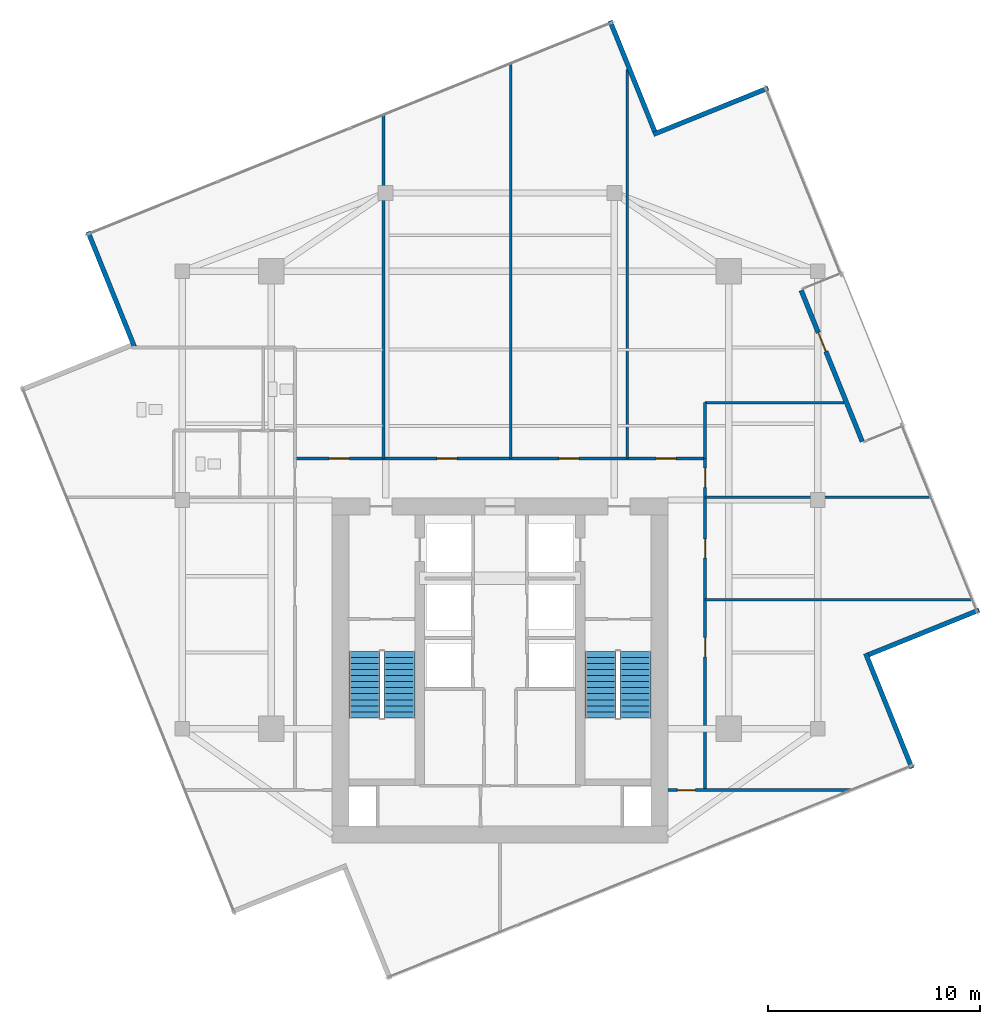
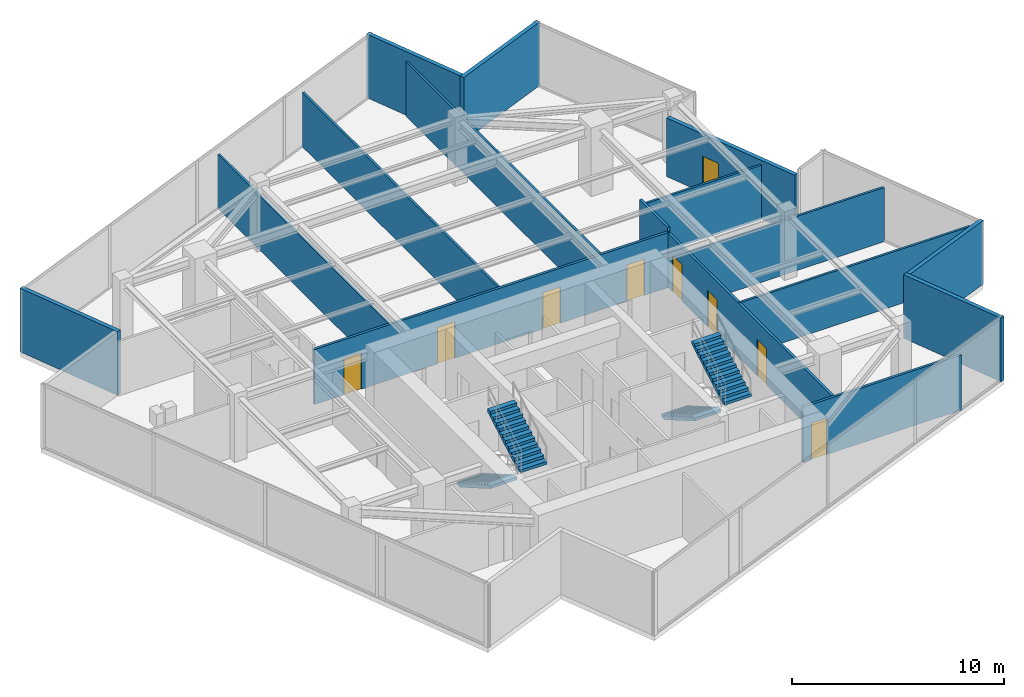
# One storey, part 19 of 21: 16 walls, 9 doors, 4 stair flights, 9 openings, 2 elements without a shape of their own.
"""IFC4 building model written with IfcOpenShell, lengths in metres."""

from ifc_helpers import new_model, si_unit, direction, frame, frame_2d, origin, place, context, subcontext, project, spatial, polyline, rectangle, outline, extrude, material, layer, layer_set, type_object, element, fill, aggregate, save


model = new_model("IFC4")

# Units and contexts
model_context = context("Model", 3, precision=1e-05, world=origin(), true_north=direction((0.0, 1.0)))
body_context = subcontext(model_context, "Body", "Model", "MODEL_VIEW")
ifc_project = project(units=[si_unit("LENGTHUNIT", "METRE"), si_unit("AREAUNIT", "SQUARE_METRE"), si_unit("VOLUMEUNIT", "CUBIC_METRE"), si_unit("PLANEANGLEUNIT", "RADIAN"), si_unit("MASSUNIT", "GRAM", prefix="KILO")], contexts=[model_context])

# Site, building, storey
site_placement = place(None, origin())
site = spatial("IfcSite", under=ifc_project, at=site_placement, CompositionType="ELEMENT")
building_placement = place(site_placement, origin())
building = spatial("IfcBuilding", under=site, at=building_placement, Name="Krantzveldt Concourse Tower", CompositionType="ELEMENT")
storey_placement = place(building_placement, frame((0.0, 0.0, 327.699951171875)))
storey = spatial("IfcBuildingStorey", under=building, at=storey_placement, Name="L80", CompositionType="ELEMENT", Elevation=327.699951171875)

# Walls
ifc_material_1 = material(Name="Anodised aluminium 6063-T6", Category="aluminium")
ifc_layer_1 = layer(ifc_material_1, 0.219970703125, Name="Anodised aluminium 6063-T6", Category="aluminium")
ifc_layer_set_1 = layer_set([ifc_layer_1], Name="Anodised aluminium 6063-T6 (WL-EXT-NOTCH220)")
wall_type_1 = type_object("IfcWallType", Name="WL-EXT-NOTCH220", PredefinedType="ELEMENTEDWALL", material=ifc_layer_set_1)
wall_1_placement = place(storey_placement, frame((43.302490234375, 44.102783203125, 0.0), z_axis=(0.0, 0.0, 1.0), x_axis=(-0.374613748588, 0.927180963658, 0.0)))
element("IfcWall", 1, at=wall_1_placement, inside=storey, type_object=wall_type_1, Name="EW-L80-NCH00", PredefinedType="ELEMENTEDWALL", context=body_context, shape_type="SweptSolid", body=[
    extrude(rectangle(XDim=5.625, YDim=0.219970703125, at=frame_2d((2.8125, 0.0))), origin(), (0.0, 0.0, 1.0), 3.670166015625),
])
for number, where, z_axis, x_axis, name in (
    (2, (16.55078125, 39.361083984375, 0.0), (0.0, 0.0, 1.0), (0.374621884023, -0.927177676614, 0.0), "EW-L80-NCH02"),
    (3, (55.44921875, 14.038818359375, 0.0), (0.0, 0.0, 1.0), (-0.374621884023, 0.927177676614, 0.0), "EW-L80-NCH08"),
):
    element("IfcWall", number, at=place(storey_placement, frame(where, z_axis=z_axis, x_axis=x_axis)), inside=storey, type_object=wall_type_1, Name=name, PredefinedType="ELEMENTEDWALL", context=body_context, shape_type="SweptSolid", body=[
        extrude(rectangle(XDim=5.844970703125, YDim=0.219970703125, at=frame_2d((2.92236328125, 0.0))), origin(), (0.0, 0.0, 1.0), 3.670166015625),
    ])
wall_2_placement = place(storey_placement, frame((53.40283203125, 19.3974609375, 0.0), z_axis=(0.0, 0.0, 1.0), x_axis=(0.927180963658, 0.374613748588, 0.0)))
element("IfcWall", 4, at=wall_2_placement, inside=storey, type_object=wall_type_1, Name="EW-L80-NCH09", PredefinedType="ELEMENTEDWALL", context=body_context, shape_type="SweptSolid", body=[
    extrude(rectangle(XDim=5.625, YDim=0.219970703125, at=frame_2d((2.8125, 0.0))), origin(), (0.0, 0.0, 1.0), 3.670166015625),
])

# Wall, opening, door
wall_3_placement = place(storey_placement, frame((50.2197265625, 36.592041015625, 0.0), z_axis=(0.0, 0.0, 1.0), x_axis=(0.374628921717, -0.927174833035, 0.0)))
wall_3 = element("IfcWall", 5, at=wall_3_placement, inside=storey, type_object=wall_type_1, Name="EW-L80-TSLOT", PredefinedType="ELEMENTEDWALL", context=body_context, shape_type="SweptSolid", body=[
    extrude(rectangle(XDim=7.68994140625, YDim=0.219970703125, at=frame_2d((3.844970703125, 0.0))), origin(), (0.0, 0.0, 1.0), 3.380126953125),
])
opening_1_placement = place(wall_3_placement, frame((2.1533203125, 0.0, 0.0)))
opening_1 = element("IfcOpeningElement", 6, at=opening_1_placement, cuts=wall_3, Name="Opening D-EX95", PredefinedType="OPENING", context=body_context, shape_type="SweptSolid", body=[
    extrude(rectangle(XDim=0.949951171875, YDim=2.10009765625, at=frame_2d((0.47509765625, 1.050048828125))), frame((0.0, 0.1201171875, 0.0), z_axis=(0.0, -1.0, 0.0), x_axis=(1.0, 0.0, 0.0)), (0.0, 0.0, 1.0), 0.239990234375),
])
door_type_1 = type_object("IfcDoorType", Name="DR-EXT-950", OperationType="SINGLE_SWING_LEFT", PredefinedType="DOOR", material=ifc_material_1)
door_1_placement = place(opening_1_placement, origin())
door_1 = element("IfcDoor", 7, at=door_1_placement, inside=storey, type_object=door_type_1, Name="DR-L80-TERR", OperationType="SINGLE_SWING_LEFT", OverallHeight=2.10009765625, OverallWidth=0.949951171875, PredefinedType="DOOR", context=body_context, shape_type="SweptSolid", body=[
    extrude(rectangle(XDim=0.949951171875, YDim=2.10009765625, at=frame_2d((0.47509765625, 1.050048828125))), frame((0.0, 0.02490234375, 0.0), z_axis=(0.0, -1.0, 0.0), x_axis=(1.0, 0.0, 0.0)), (0.0, 0.0, 1.0), 0.050048828125),
])
fill(opening_1, door_1)

# Walls
wall_4_placement = place(storey_placement, frame((48.6611328125, 46.149169921875, 0.0), z_axis=(0.0, 0.0, 1.0), x_axis=(-0.927177676614, -0.374621884023, 0.0)))
element("IfcWall", 8, at=wall_4_placement, inside=storey, type_object=wall_type_1, Name="EW-L80-NCH15", PredefinedType="ELEMENTEDWALL", context=body_context, shape_type="SweptSolid", body=[
    extrude(rectangle(XDim=5.844970703125, YDim=0.219970703125, at=frame_2d((2.92236328125, 0.0))), origin(), (0.0, 0.0, 1.0), 3.670166015625),
])
ifc_material_2 = material(Name="Fire-rated gypsum plasterboard on steel stud", Category="steel")
ifc_layer_2 = layer(ifc_material_2, 0.1201171875, Name="Fire-rated gypsum plasterboard on steel stud", Category="steel")
ifc_layer_set_2 = layer_set([ifc_layer_2], Name="Fire-rated gypsum plasterboard on steel stud (WL-PART-120)")
wall_type_2 = type_object("IfcWallType", Name="WL-PART-120", PredefinedType="PARTITIONING", material=ifc_layer_set_2)
wall_5_placement = place(storey_placement, frame((45.679931640625, 26.820068359375, 0.0), z_axis=(0.0, 0.0, 1.0), x_axis=(1.0, 0.0, 0.0)))
element("IfcWall", 9, at=wall_5_placement, inside=storey, type_object=wall_type_2, Name="WP-L80-PNTS", PredefinedType="PARTITIONING", context=body_context, shape_type="SweptSolid", body=[
    extrude(rectangle(XDim=10.666748046875, YDim=0.1201171875, at=frame_2d((5.33349609375, 0.0))), origin(), (0.0, 0.0, 1.0), 3.130126953125),
])
wall_6_placement = place(storey_placement, frame((45.679931640625, 31.300048828125, 0.0), z_axis=(0.0, 0.0, 1.0), x_axis=(1.0, 0.0, 0.0)))
element("IfcWall", 10, at=wall_6_placement, inside=storey, type_object=wall_type_2, Name="WP-L80-PNTN", PredefinedType="PARTITIONING", context=body_context, shape_type="SweptSolid", body=[
    extrude(rectangle(XDim=6.553955078125, YDim=0.1201171875, at=frame_2d((3.27685546875, 0.0))), origin(), (0.0, 0.0, 1.0), 3.130126953125),
])
wall_7_placement = place(storey_placement, frame((30.5, 28.659912109375, 0.0), z_axis=(0.0, 0.0, 1.0), x_axis=(0.0, 1.0, 0.0)))
element("IfcWall", 11, at=wall_7_placement, inside=storey, type_object=wall_type_2, Name="WP-L80-ND1", PredefinedType="PARTITIONING", context=body_context, shape_type="SweptSolid", body=[
    extrude(rectangle(XDim=16.212890625, YDim=0.1201171875, at=frame_2d((8.1064453125, 0.0))), origin(), (0.0, 0.0, 1.0), 3.130126953125),
])
wall_8_placement = place(storey_placement, frame((36.5, 28.659912109375, 0.0), z_axis=(0.0, 0.0, 1.0), x_axis=(0.0, 1.0, 0.0)))
element("IfcWall", 12, at=wall_8_placement, inside=storey, type_object=wall_type_2, Name="WP-L80-ND2", PredefinedType="PARTITIONING", context=body_context, shape_type="SweptSolid", body=[
    extrude(rectangle(XDim=18.63720703125, YDim=0.1201171875, at=frame_2d((9.318603515625, 0.0))), origin(), (0.0, 0.0, 1.0), 3.130126953125),
])
wall_9_placement = place(storey_placement, frame((42.0, 28.659912109375, 0.0), z_axis=(0.0, 0.0, 1.0), x_axis=(0.0, 1.0, 0.0)))
element("IfcWall", 13, at=wall_9_placement, inside=storey, type_object=wall_type_2, Name="WP-L80-ND3", PredefinedType="PARTITIONING", context=body_context, shape_type="SweptSolid", body=[
    extrude(rectangle(XDim=18.35986328125, YDim=0.1201171875, at=frame_2d((9.179931640625, 0.0))), origin(), (0.0, 0.0, 1.0), 3.130126953125),
])
wall_10_placement = place(storey_placement, frame((45.679931640625, 22.0, 0.0), z_axis=(0.0, 0.0, 1.0), x_axis=(1.0, 0.0, 0.0)))
element("IfcWall", 14, at=wall_10_placement, inside=storey, type_object=wall_type_2, Name="WP-L80-ED1", PredefinedType="PARTITIONING", context=body_context, shape_type="SweptSolid", body=[
    extrude(rectangle(XDim=12.614013671875, YDim=0.1201171875, at=frame_2d((6.30712890625, 0.0))), origin(), (0.0, 0.0, 1.0), 3.130126953125),
])

# Wall, openings, doors
ifc_layer_3 = layer(ifc_material_2, 0.139892578125, Name="Fire-rated gypsum plasterboard on steel stud", Category="steel")
ifc_layer_set_3 = layer_set([ifc_layer_3], Name="Fire-rated gypsum plasterboard on steel stud (WL-PART-140)")
wall_type_3 = type_object("IfcWallType", Name="WL-PART-140", PredefinedType="PARTITIONING", material=ifc_layer_set_3)
wall_11_placement = place(storey_placement, frame((26.320068359375, 28.659912109375, 0.0), z_axis=(0.0, 0.0, 1.0), x_axis=(1.0, 0.0, 0.0)))
wall_11 = element("IfcWall", 15, at=wall_11_placement, inside=storey, type_object=wall_type_3, Name="WP-L80-CNHDR", PredefinedType="PARTITIONING", context=body_context, shape_type="SweptSolid", body=[
    extrude(rectangle(XDim=19.35986328125, YDim=0.139892578125, at=frame_2d((9.679931640625, 0.0))), origin(), (0.0, 0.0, 1.0), 3.179931640625),
])
opening_2_placement = place(wall_11_placement, frame((1.614990234375, 0.0, 0.0)))
opening_2 = element("IfcOpeningElement", 16, at=opening_2_placement, cuts=wall_11, Name="Opening D-IN095", PredefinedType="OPENING", context=body_context, shape_type="SweptSolid", body=[
    extrude(rectangle(XDim=0.949951171875, YDim=2.10009765625, at=frame_2d((0.47509765625, 1.050048828125))), frame((0.0, 0.080078125, 0.0), z_axis=(0.0, -1.0, 0.0), x_axis=(1.0, 0.0, 0.0)), (0.0, 0.0, 1.0), 0.159912109375),
])
opening_3_placement = place(wall_11_placement, frame((6.705078125, 0.0, 0.0)))
opening_3 = element("IfcOpeningElement", 17, at=opening_3_placement, cuts=wall_11, Name="Opening D-IN095", PredefinedType="OPENING", context=body_context, shape_type="SweptSolid", body=[
    extrude(rectangle(XDim=0.949951171875, YDim=2.10009765625, at=frame_2d((0.47509765625, 1.050048828125))), frame((0.0, 0.080078125, 0.0), z_axis=(0.0, -1.0, 0.0), x_axis=(1.0, 0.0, 0.0)), (0.0, 0.0, 1.0), 0.159912109375),
])
opening_4_placement = place(wall_11_placement, frame((12.455078125, 0.0, 0.0)))
opening_4 = element("IfcOpeningElement", 18, at=opening_4_placement, cuts=wall_11, Name="Opening D-IN095", PredefinedType="OPENING", context=body_context, shape_type="SweptSolid", body=[
    extrude(rectangle(XDim=0.949951171875, YDim=2.10009765625, at=frame_2d((0.47509765625, 1.050048828125))), frame((0.0, 0.080078125, 0.0), z_axis=(0.0, -1.0, 0.0), x_axis=(1.0, 0.0, 0.0)), (0.0, 0.0, 1.0), 0.159912109375),
])
opening_5_placement = place(wall_11_placement, frame((17.044921875, 0.0, 0.0)))
opening_5 = element("IfcOpeningElement", 19, at=opening_5_placement, cuts=wall_11, Name="Opening D-IN095", PredefinedType="OPENING", context=body_context, shape_type="SweptSolid", body=[
    extrude(rectangle(XDim=0.949951171875, YDim=2.10009765625, at=frame_2d((0.47509765625, 1.050048828125))), frame((0.0, 0.080078125, 0.0), z_axis=(0.0, -1.0, 0.0), x_axis=(1.0, 0.0, 0.0)), (0.0, 0.0, 1.0), 0.159912109375),
])
ifc_material_3 = material(Name="Hardwood timber", Category="wood")
door_type_2 = type_object("IfcDoorType", Name="DR-INT-950", OperationType="SINGLE_SWING_LEFT", PredefinedType="DOOR", material=ifc_material_3)
door_2_placement = place(opening_2_placement, origin())
door_2 = element("IfcDoor", 20, at=door_2_placement, inside=storey, type_object=door_type_2, Name="DR-L80-NR1", OperationType="SINGLE_SWING_LEFT", OverallHeight=2.10009765625, OverallWidth=0.949951171875, PredefinedType="DOOR", context=body_context, shape_type="SweptSolid", body=[
    extrude(rectangle(XDim=0.949951171875, YDim=2.10009765625, at=frame_2d((0.47509765625, 1.050048828125))), frame((0.0, 0.02490234375, 0.0), z_axis=(0.0, -1.0, 0.0), x_axis=(1.0, 0.0, 0.0)), (0.0, 0.0, 1.0), 0.050048828125),
])
fill(opening_2, door_2)
door_3_placement = place(opening_3_placement, origin())
door_3 = element("IfcDoor", 21, at=door_3_placement, inside=storey, type_object=door_type_2, Name="DR-L80-NR2", OperationType="SINGLE_SWING_LEFT", OverallHeight=2.10009765625, OverallWidth=0.949951171875, PredefinedType="DOOR", context=body_context, shape_type="SweptSolid", body=[
    extrude(rectangle(XDim=0.949951171875, YDim=2.10009765625, at=frame_2d((0.47509765625, 1.050048828125))), frame((0.0, 0.02490234375, 0.0), z_axis=(0.0, -1.0, 0.0), x_axis=(1.0, 0.0, 0.0)), (0.0, 0.0, 1.0), 0.050048828125),
])
fill(opening_3, door_3)
door_4_placement = place(opening_4_placement, origin())
door_4 = element("IfcDoor", 22, at=door_4_placement, inside=storey, type_object=door_type_2, Name="DR-L80-NR3", OperationType="SINGLE_SWING_LEFT", OverallHeight=2.10009765625, OverallWidth=0.949951171875, PredefinedType="DOOR", context=body_context, shape_type="SweptSolid", body=[
    extrude(rectangle(XDim=0.949951171875, YDim=2.10009765625, at=frame_2d((0.47509765625, 1.050048828125))), frame((0.0, 0.02490234375, 0.0), z_axis=(0.0, -1.0, 0.0), x_axis=(1.0, 0.0, 0.0)), (0.0, 0.0, 1.0), 0.050048828125),
])
fill(opening_4, door_4)
door_5_placement = place(opening_5_placement, origin())
door_5 = element("IfcDoor", 23, at=door_5_placement, inside=storey, type_object=door_type_2, Name="DR-L80-NR4", OperationType="SINGLE_SWING_LEFT", OverallHeight=2.10009765625, OverallWidth=0.949951171875, PredefinedType="DOOR", context=body_context, shape_type="SweptSolid", body=[
    extrude(rectangle(XDim=0.949951171875, YDim=2.10009765625, at=frame_2d((0.47509765625, 1.050048828125))), frame((0.0, 0.02490234375, 0.0), z_axis=(0.0, -1.0, 0.0), x_axis=(1.0, 0.0, 0.0)), (0.0, 0.0, 1.0), 0.050048828125),
])
fill(opening_5, door_5)

wall_12_placement = place(storey_placement, frame((45.679931640625, 13.0, 0.0), z_axis=(0.0, 0.0, 1.0), x_axis=(0.0, 1.0, 0.0)))
wall_12 = element("IfcWall", 24, at=wall_12_placement, inside=storey, type_object=wall_type_3, Name="WP-L80-CEAST", PredefinedType="PARTITIONING", context=body_context, shape_type="SweptSolid", body=[
    extrude(rectangle(XDim=15.659912109375, YDim=0.139892578125, at=frame_2d((7.830078125, 0.0))), origin(), (0.0, 0.0, 1.0), 3.130126953125),
])
opening_6_placement = place(wall_12_placement, frame((14.300048828125, 0.0, 0.0)))
opening_6 = element("IfcOpeningElement", 25, at=opening_6_placement, cuts=wall_12, Name="Opening D-IN090", PredefinedType="OPENING", context=body_context, shape_type="SweptSolid", body=[
    extrude(rectangle(XDim=0.89990234375, YDim=2.10009765625, at=frame_2d((0.449951171875, 1.050048828125))), frame((0.0, 0.080078125, 0.0), z_axis=(0.0, -1.0, 0.0), x_axis=(1.0, 0.0, 0.0)), (0.0, 0.0, 1.0), 0.159912109375),
])
opening_7_placement = place(wall_12_placement, frame((6.300048828125, 0.0, 0.0)))
opening_7 = element("IfcOpeningElement", 26, at=opening_7_placement, cuts=wall_12, Name="Opening D-IN090", PredefinedType="OPENING", context=body_context, shape_type="SweptSolid", body=[
    extrude(rectangle(XDim=0.89990234375, YDim=2.10009765625, at=frame_2d((0.449951171875, 1.050048828125))), frame((0.0, 0.080078125, 0.0), z_axis=(0.0, -1.0, 0.0), x_axis=(1.0, 0.0, 0.0)), (0.0, 0.0, 1.0), 0.159912109375),
])
opening_8_placement = place(wall_12_placement, frame((10.9599609375, 0.0, 0.0)))
opening_8 = element("IfcOpeningElement", 27, at=opening_8_placement, cuts=wall_12, Name="Opening D-IN090", PredefinedType="OPENING", context=body_context, shape_type="SweptSolid", body=[
    extrude(rectangle(XDim=0.89990234375, YDim=2.10009765625, at=frame_2d((0.449951171875, 1.050048828125))), frame((0.0, 0.080078125, 0.0), z_axis=(0.0, -1.0, 0.0), x_axis=(1.0, 0.0, 0.0)), (0.0, 0.0, 1.0), 0.159912109375),
])
door_type_3 = type_object("IfcDoorType", Name="DR-INT-900", OperationType="SINGLE_SWING_LEFT", PredefinedType="DOOR", material=ifc_material_3)
door_6_placement = place(opening_6_placement, origin())
door_6 = element("IfcDoor", 28, at=door_6_placement, inside=storey, type_object=door_type_3, Name="DR-L80-PNT", OperationType="SINGLE_SWING_RIGHT", OverallHeight=2.10009765625, OverallWidth=0.89990234375, PredefinedType="DOOR", context=body_context, shape_type="SweptSolid", body=[
    extrude(rectangle(XDim=0.89990234375, YDim=2.10009765625, at=frame_2d((0.449951171875, 1.050048828125))), frame((0.0, 0.02490234375, 0.0), z_axis=(0.0, -1.0, 0.0), x_axis=(1.0, 0.0, 0.0)), (0.0, 0.0, 1.0), 0.050048828125),
])
fill(opening_6, door_6)
door_7_placement = place(opening_7_placement, origin())
door_7 = element("IfcDoor", 29, at=door_7_placement, inside=storey, type_object=door_type_3, Name="DR-L80-ER1", OperationType="SINGLE_SWING_LEFT", OverallHeight=2.10009765625, OverallWidth=0.89990234375, PredefinedType="DOOR", context=body_context, shape_type="SweptSolid", body=[
    extrude(rectangle(XDim=0.89990234375, YDim=2.10009765625, at=frame_2d((0.449951171875, 1.050048828125))), frame((0.0, 0.02490234375, 0.0), z_axis=(0.0, -1.0, 0.0), x_axis=(1.0, 0.0, 0.0)), (0.0, 0.0, 1.0), 0.050048828125),
])
fill(opening_7, door_7)
door_8_placement = place(opening_8_placement, origin())
door_8 = element("IfcDoor", 30, at=door_8_placement, inside=storey, type_object=door_type_3, Name="DR-L80-ER2", OperationType="SINGLE_SWING_LEFT", OverallHeight=2.10009765625, OverallWidth=0.89990234375, PredefinedType="DOOR", context=body_context, shape_type="SweptSolid", body=[
    extrude(rectangle(XDim=0.89990234375, YDim=2.10009765625, at=frame_2d((0.449951171875, 1.050048828125))), frame((0.0, 0.02490234375, 0.0), z_axis=(0.0, -1.0, 0.0), x_axis=(1.0, 0.0, 0.0)), (0.0, 0.0, 1.0), 0.050048828125),
])
fill(opening_8, door_8)

# Wall, opening, door
wall_13_placement = place(storey_placement, frame((43.919921875, 13.0, 0.0), z_axis=(0.0, 0.0, 1.0), x_axis=(1.0, 0.0, 0.0)))
wall_13 = element("IfcWall", 31, at=wall_13_placement, inside=storey, type_object=wall_type_3, Name="WP-L80-CSBOTE", PredefinedType="PARTITIONING", context=body_context, shape_type="SweptSolid", body=[
    extrude(rectangle(XDim=8.65087890625, YDim=0.139892578125, at=frame_2d((4.325439453125, 0.0))), origin(), (0.0, 0.0, 1.0), 3.179931640625),
])
opening_9_placement = place(wall_13_placement, frame((0.455078125, 0.0, 0.0)))
opening_9 = element("IfcOpeningElement", 32, at=opening_9_placement, cuts=wall_13, Name="Opening D-IN085", PredefinedType="OPENING", context=body_context, shape_type="SweptSolid", body=[
    extrude(rectangle(XDim=0.85009765625, YDim=2.10009765625, at=frame_2d((0.425048828125, 1.050048828125))), frame((0.0, 0.080078125, 0.0), z_axis=(0.0, -1.0, 0.0), x_axis=(1.0, 0.0, 0.0)), (0.0, 0.0, 1.0), 0.159912109375),
])
door_type_4 = type_object("IfcDoorType", Name="DR-INT-850", OperationType="SINGLE_SWING_LEFT", PredefinedType="DOOR", material=ifc_material_3)
door_9_placement = place(opening_9_placement, origin())
door_9 = element("IfcDoor", 33, at=door_9_placement, inside=storey, type_object=door_type_4, Name="DR-L80-SR2", OperationType="SINGLE_SWING_LEFT", OverallHeight=2.10009765625, OverallWidth=0.85009765625, PredefinedType="DOOR", context=body_context, shape_type="SweptSolid", body=[
    extrude(rectangle(XDim=0.85009765625, YDim=2.10009765625, at=frame_2d((0.425048828125, 1.050048828125))), frame((0.0, 0.02490234375, 0.0), z_axis=(0.0, -1.0, 0.0), x_axis=(1.0, 0.0, 0.0)), (0.0, 0.0, 1.0), 0.050048828125),
])
fill(opening_9, door_9)

# Wall
wall_14_placement = place(storey_placement, frame((45.679931640625, 28.659912109375, 0.0), z_axis=(0.0, 0.0, 1.0), x_axis=(0.0, 1.0, 0.0)))
element("IfcWall", 34, at=wall_14_placement, inside=storey, type_object=wall_type_3, Name="WP-L80-NER", PredefinedType="PARTITIONING", context=body_context, shape_type="SweptSolid", body=[
    extrude(rectangle(XDim=2.64013671875, YDim=0.139892578125, at=frame_2d((1.320068359375, 0.0))), origin(), (0.0, 0.0, 1.0), 3.429931640625),
])

# Stair, stair flights
ifc_material_4 = material(Name="Precast concrete C40/50", Category="concrete")
stair_type = type_object("IfcStairType", Name="STR-CORE-DOGLEG", PredefinedType="HALF_TURN_STAIR", material=ifc_material_4)
stair_1_placement = place(storey_placement, origin())
stair_1 = element("IfcStair", 35, at=stair_1_placement, inside=storey, type_object=stair_type, Name="L80 Protected Escape Stair ST-1", PredefinedType="HALF_TURN_STAIR")
stair_flight_type = type_object("IfcStairFlightType", Name="STF-CORE-1450", PredefinedType="STRAIGHT", material=ifc_material_4)
stair_flight_1_placement = place(storey_placement, frame((29.60498046875, 19.550048828125, 0.0), z_axis=(0.0, 0.0, 1.0), x_axis=(0.0, -1.0, 0.0)))
stair_flight_1 = element("IfcStairFlight", 36, at=stair_flight_1_placement, type_object=stair_flight_type, Name="ST-1 flight 1", NumberOfRisers=12, NumberOfTreads=11, PredefinedType="STRAIGHT", RiserHeight=0.164583333, TreadLength=0.285, context=body_context, shape_type="SweptSolid", body=[
    extrude(outline(polyline([(0.0, 0.0), (0.0, 0.16455078125), (0.284912109375, 0.16455078125), (0.284912109375, 0.3291015625), (0.570068359375, 0.3291015625), (0.570068359375, 0.49365234375), (0.85498046875, 0.49365234375), (0.85498046875, 0.658447265625), (1.139892578125, 0.658447265625), (1.139892578125, 0.822998046875), (1.425048828125, 0.822998046875), (1.425048828125, 0.987548828125), (1.7099609375, 0.987548828125), (1.7099609375, 1.152099609375), (1.9951171875, 1.152099609375), (1.9951171875, 1.316650390625), (2.280029296875, 1.316650390625), (2.280029296875, 1.481201171875), (2.56494140625, 1.481201171875), (2.56494140625, 1.645751953125), (2.85009765625, 1.645751953125), (2.85009765625, 1.810302734375), (3.135009765625, 1.810302734375), (3.135009765625, 1.97509765625), (3.135009765625, 1.63720703125), (0.2998046875, 0.0), (0.0, 0.0)])), frame((0.0, 0.72509765625, 0.0), z_axis=(0.0, -1.0, 0.0), x_axis=(1.0, 0.0, 0.0)), (0.0, 0.0, 1.0), 1.449951171875),
])
stair_flight_2_placement = place(storey_placement, frame((31.2548828125, 16.4150390625, 1.97509765625), z_axis=(0.0, 0.0, 1.0), x_axis=(0.0, 1.0, 0.0)))
stair_flight_2 = element("IfcStairFlight", 37, at=stair_flight_2_placement, type_object=stair_flight_type, Name="ST-1 flight 2", NumberOfRisers=12, NumberOfTreads=11, PredefinedType="STRAIGHT", RiserHeight=0.164583333, TreadLength=0.285, context=body_context, shape_type="SweptSolid", body=[
    extrude(outline(polyline([(0.0, 0.0), (0.0, 0.16455078125), (0.284912109375, 0.16455078125), (0.284912109375, 0.3291015625), (0.570068359375, 0.3291015625), (0.570068359375, 0.49365234375), (0.85498046875, 0.49365234375), (0.85498046875, 0.658447265625), (1.139892578125, 0.658447265625), (1.139892578125, 0.822998046875), (1.425048828125, 0.822998046875), (1.425048828125, 0.987548828125), (1.7099609375, 0.987548828125), (1.7099609375, 1.152099609375), (1.9951171875, 1.152099609375), (1.9951171875, 1.316650390625), (2.280029296875, 1.316650390625), (2.280029296875, 1.481201171875), (2.56494140625, 1.481201171875), (2.56494140625, 1.645751953125), (2.85009765625, 1.645751953125), (2.85009765625, 1.810302734375), (3.135009765625, 1.810302734375), (3.135009765625, 1.97509765625), (3.135009765625, 1.63720703125), (0.2998046875, 0.0), (0.0, 0.0)])), frame((0.0, 0.72509765625, 0.0), z_axis=(0.0, -1.0, 0.0), x_axis=(1.0, 0.0, 0.0)), (0.0, 0.0, 1.0), 1.449951171875),
])
aggregate(stair_1, [stair_flight_1, stair_flight_2])

stair_2_placement = place(storey_placement, origin())
stair_2 = element("IfcStair", 38, at=stair_2_placement, inside=storey, type_object=stair_type, Name="L80 Protected Escape Stair ST-2", PredefinedType="HALF_TURN_STAIR")
stair_flight_3_placement = place(storey_placement, frame((40.7451171875, 19.550048828125, 0.0), z_axis=(0.0, 0.0, 1.0), x_axis=(0.0, -1.0, 0.0)))
stair_flight_3 = element("IfcStairFlight", 39, at=stair_flight_3_placement, type_object=stair_flight_type, Name="ST-2 flight 1", NumberOfRisers=12, NumberOfTreads=11, PredefinedType="STRAIGHT", RiserHeight=0.164583333, TreadLength=0.285, context=body_context, shape_type="SweptSolid", body=[
    extrude(outline(polyline([(0.0, 0.0), (0.0, 0.16455078125), (0.284912109375, 0.16455078125), (0.284912109375, 0.3291015625), (0.570068359375, 0.3291015625), (0.570068359375, 0.49365234375), (0.85498046875, 0.49365234375), (0.85498046875, 0.658447265625), (1.139892578125, 0.658447265625), (1.139892578125, 0.822998046875), (1.425048828125, 0.822998046875), (1.425048828125, 0.987548828125), (1.7099609375, 0.987548828125), (1.7099609375, 1.152099609375), (1.9951171875, 1.152099609375), (1.9951171875, 1.316650390625), (2.280029296875, 1.316650390625), (2.280029296875, 1.481201171875), (2.56494140625, 1.481201171875), (2.56494140625, 1.645751953125), (2.85009765625, 1.645751953125), (2.85009765625, 1.810302734375), (3.135009765625, 1.810302734375), (3.135009765625, 1.97509765625), (3.135009765625, 1.63720703125), (0.2998046875, 0.0), (0.0, 0.0)])), frame((0.0, 0.72509765625, 0.0), z_axis=(0.0, -1.0, 0.0), x_axis=(1.0, 0.0, 0.0)), (0.0, 0.0, 1.0), 1.449951171875),
])
stair_flight_4_placement = place(storey_placement, frame((42.39501953125, 16.4150390625, 1.97509765625), z_axis=(0.0, 0.0, 1.0), x_axis=(0.0, 1.0, 0.0)))
stair_flight_4 = element("IfcStairFlight", 40, at=stair_flight_4_placement, type_object=stair_flight_type, Name="ST-2 flight 2", NumberOfRisers=12, NumberOfTreads=11, PredefinedType="STRAIGHT", RiserHeight=0.164583333, TreadLength=0.285, context=body_context, shape_type="SweptSolid", body=[
    extrude(outline(polyline([(0.0, 0.0), (0.0, 0.16455078125), (0.284912109375, 0.16455078125), (0.284912109375, 0.3291015625), (0.570068359375, 0.3291015625), (0.570068359375, 0.49365234375), (0.85498046875, 0.49365234375), (0.85498046875, 0.658447265625), (1.139892578125, 0.658447265625), (1.139892578125, 0.822998046875), (1.425048828125, 0.822998046875), (1.425048828125, 0.987548828125), (1.7099609375, 0.987548828125), (1.7099609375, 1.152099609375), (1.9951171875, 1.152099609375), (1.9951171875, 1.316650390625), (2.280029296875, 1.316650390625), (2.280029296875, 1.481201171875), (2.56494140625, 1.481201171875), (2.56494140625, 1.645751953125), (2.85009765625, 1.645751953125), (2.85009765625, 1.810302734375), (3.135009765625, 1.810302734375), (3.135009765625, 1.97509765625), (3.135009765625, 1.63720703125), (0.2998046875, 0.0), (0.0, 0.0)])), frame((0.0, 0.72509765625, 0.0), z_axis=(0.0, -1.0, 0.0), x_axis=(1.0, 0.0, 0.0)), (0.0, 0.0, 1.0), 1.449951171875),
])
aggregate(stair_2, [stair_flight_3, stair_flight_4])

save(model, "model.ifc")
